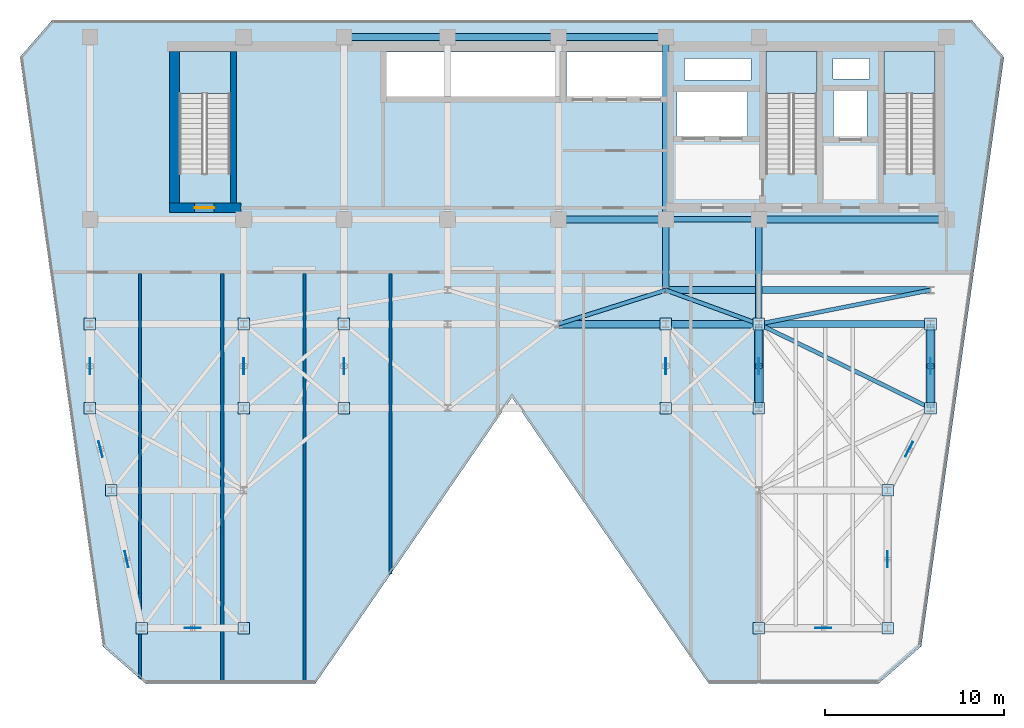
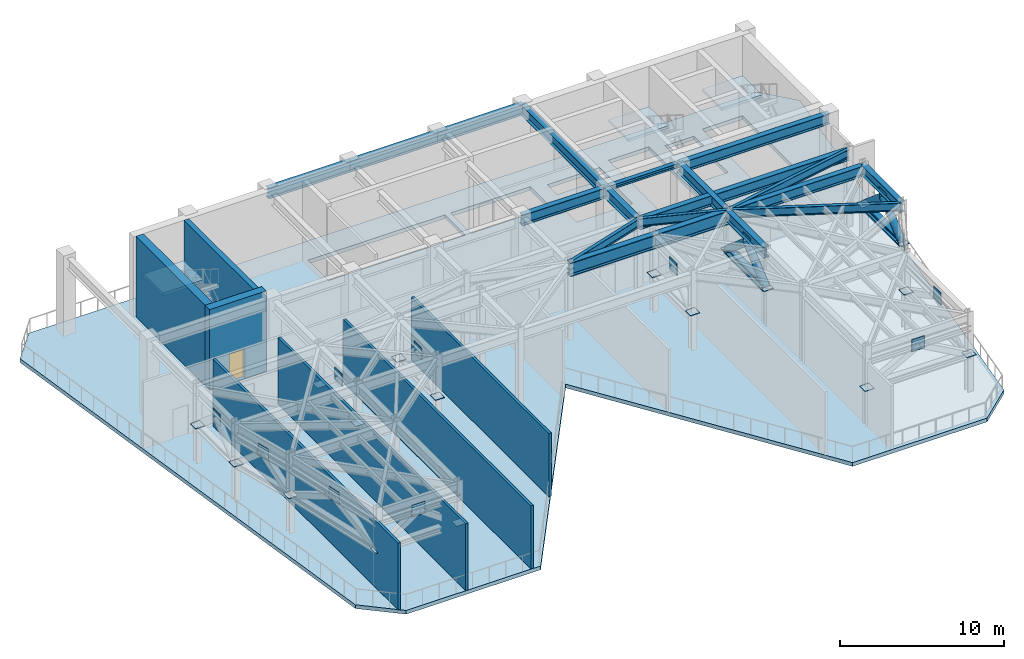
# One storey, part 3 of 12: 30 plates, 18 beams, 7 walls, 6 members, 4 slabs, 1 door, 1 opening, 3 elements without a shape of their own.
"""IFC4 building model written with IfcOpenShell, lengths in metres."""

from ifc_helpers import new_model, si_unit, direction, frame, frame_2d, origin, origin_2d, place, context, subcontext, project, spatial, polyline, rectangle, hollow_circle, i_section, outline, extrude, material, layer, layer_set, material_profile, profile_set, type_object, element, fill, aggregate, save


model = new_model("IFC4")

# Units and contexts
model_context = context("Model", 3, precision=1e-05, world=origin(), true_north=direction((0.0, 1.0)))
body_context = subcontext(model_context, "Body", "Model", "MODEL_VIEW")
ifc_project = project(units=[si_unit("LENGTHUNIT", "METRE"), si_unit("AREAUNIT", "SQUARE_METRE"), si_unit("VOLUMEUNIT", "CUBIC_METRE"), si_unit("PLANEANGLEUNIT", "RADIAN"), si_unit("MASSUNIT", "GRAM", prefix="KILO")], contexts=[model_context])

# Site, building, storey
site_placement = place(None, origin())
site = spatial("IfcSite", under=ifc_project, at=site_placement, CompositionType="ELEMENT")
building_placement = place(site_placement, origin())
building = spatial("IfcBuilding", under=site, at=building_placement, Name="Kravanh Interchange Tower", CompositionType="ELEMENT")
storey_placement = place(building_placement, frame((0.0, 0.0, 225.0)))
storey = spatial("IfcBuildingStorey", under=building, at=storey_placement, Name="L54", CompositionType="ELEMENT", Elevation=225.0)

# Beams
ifc_material_1 = material(Name="Structural Steel S355", Category="steel")
ifc_material_profile_1 = material_profile(ifc_material_1, i_section(OverallWidth=0.381103515625, OverallDepth=0.77294921875, WebThickness=0.0166015625, FlangeThickness=0.027099609375, FilletRadius=0.02490234375, at=origin_2d()), Name="W30X173")
ifc_profile_set_1 = profile_set([ifc_material_profile_1], Name="Structural Steel S355")
beam_type_1 = type_object("IfcBeamType", Name="Floor Beam W30X173 Structural Steel S355", PredefinedType="BEAM", material=ifc_profile_set_1)
beam_1_placement = place(storey_placement, frame((66.5, 37.35009765625, 5.363525390625), z_axis=(-1.0, 0.0, 0.0), x_axis=(0.0, -1.0, 0.0)))
element("IfcBeam", 1, at=beam_1_placement, inside=storey, type_object=beam_type_1, Name="L54 Primary Floor Girder 5", PredefinedType="BEAM", context=body_context, shape_type="SweptSolid", body=[
    extrude(i_section(OverallWidth=0.381103515625, OverallDepth=0.77294921875, WebThickness=0.0166015625, FlangeThickness=0.027099609375, FilletRadius=0.02490234375, at=origin_2d()), origin(), (0.0, 0.0, 1.0), 10.5),
])
beam_2_placement = place(storey_placement, frame((56.0, 37.35009765625, 5.363525390625), z_axis=(0.0, -1.0, 0.0), x_axis=(1.0, 0.0, 0.0)))
element("IfcBeam", 2, at=beam_2_placement, inside=storey, type_object=beam_type_1, Name="L54 Primary Floor Girder 7", PredefinedType="BEAM", context=body_context, shape_type="SweptSolid", body=[
    extrude(i_section(OverallWidth=0.381103515625, OverallDepth=0.77294921875, WebThickness=0.0166015625, FlangeThickness=0.027099609375, FilletRadius=0.02490234375, at=origin_2d()), origin(), (0.0, 0.0, 1.0), 5.85009765625),
])
beam_3_placement = place(storey_placement, frame((50.800048828125, 47.550048828125, 5.363525390625), z_axis=(-1.0, 0.0, 0.0), x_axis=(0.0, -1.0, 0.0)))
element("IfcBeam", 3, at=beam_3_placement, inside=storey, type_object=beam_type_1, Name="L54 Primary Floor Girder 8", PredefinedType="BEAM", context=body_context, shape_type="SweptSolid", body=[
    extrude(i_section(OverallWidth=0.381103515625, OverallDepth=0.77294921875, WebThickness=0.0166015625, FlangeThickness=0.027099609375, FilletRadius=0.02490234375, at=origin_2d()), origin(), (0.0, 0.0, 1.0), 6.0),
])
beam_4_placement = place(storey_placement, frame((50.800048828125, 47.550048828125, 5.363525390625), z_axis=(0.0, -1.0, 0.0), x_axis=(1.0, 0.0, 0.0)))
element("IfcBeam", 4, at=beam_4_placement, inside=storey, type_object=beam_type_1, Name="L54 Primary Floor Girder 9", PredefinedType="BEAM", context=body_context, shape_type="SweptSolid", body=[
    extrude(i_section(OverallWidth=0.381103515625, OverallDepth=0.77294921875, WebThickness=0.0166015625, FlangeThickness=0.027099609375, FilletRadius=0.02490234375, at=origin_2d()), origin(), (0.0, 0.0, 1.0), 10.199951171875),
])
beam_5_placement = place(storey_placement, frame((50.800048828125, 37.35009765625, 5.363525390625), z_axis=(0.0, -1.0, 0.0), x_axis=(1.0, 0.0, 0.0)))
element("IfcBeam", 5, at=beam_5_placement, inside=storey, type_object=beam_type_1, Name="L54 Primary Floor Girder 10", PredefinedType="BEAM", context=body_context, shape_type="SweptSolid", body=[
    extrude(i_section(OverallWidth=0.381103515625, OverallDepth=0.77294921875, WebThickness=0.0166015625, FlangeThickness=0.027099609375, FilletRadius=0.02490234375, at=origin_2d()), origin(), (0.0, 0.0, 1.0), 3.9501953125),
])
beam_6_placement = place(storey_placement, frame((50.800048828125, 37.35009765625, 5.363525390625), z_axis=(-1.0, 0.0, 0.0), x_axis=(0.0, -1.0, 0.0)))
element("IfcBeam", 6, at=beam_6_placement, inside=storey, type_object=beam_type_1, Name="L54 Primary Floor Girder 11", PredefinedType="BEAM", context=body_context, shape_type="SweptSolid", body=[
    extrude(i_section(OverallWidth=0.381103515625, OverallDepth=0.77294921875, WebThickness=0.0166015625, FlangeThickness=0.027099609375, FilletRadius=0.02490234375, at=origin_2d()), origin(), (0.0, 0.0, 1.0), 6.0),
])
beam_7_placement = place(storey_placement, frame((44.800048828125, 47.550048828125, 5.363525390625), z_axis=(-1.0, 0.0, 0.0), x_axis=(0.0, -1.0, 0.0)))
element("IfcBeam", 7, at=beam_7_placement, inside=storey, type_object=beam_type_1, Name="L54 Primary Floor Girder 15", PredefinedType="BEAM", context=body_context, shape_type="SweptSolid", body=[
    extrude(i_section(OverallWidth=0.381103515625, OverallDepth=0.77294921875, WebThickness=0.0166015625, FlangeThickness=0.027099609375, FilletRadius=0.02490234375, at=origin_2d()), origin(), (0.0, 0.0, 1.0), 6.199951171875),
])
beam_8_placement = place(storey_placement, frame((38.60009765625, 47.550048828125, 5.363525390625), z_axis=(-1.0, 0.0, 0.0), x_axis=(0.0, -1.0, 0.0)))
element("IfcBeam", 8, at=beam_8_placement, inside=storey, type_object=beam_type_1, Name="L54 Primary Floor Girder 19", PredefinedType="BEAM", context=body_context, shape_type="SweptSolid", body=[
    extrude(i_section(OverallWidth=0.381103515625, OverallDepth=0.77294921875, WebThickness=0.0166015625, FlangeThickness=0.027099609375, FilletRadius=0.02490234375, at=origin_2d()), origin(), (0.0, 0.0, 1.0), 5.800048828125),
])
for number, where, z_axis, x_axis, name in (
    (9, (56.0, 26.800048828125, 5.363525390625), (0.0, 1.0, 0.0), (-1.0, 0.0, 0.0), "L54 Primary Floor Girder 54"),
    (10, (65.60009765625, 26.800048828125, 5.363525390625), (0.0, 1.0, 0.0), (-1.0, 0.0, 0.0), "L54 Primary Floor Girder 57"),
):
    element("IfcBeam", number, at=place(storey_placement, frame(where, z_axis=z_axis, x_axis=x_axis)), inside=storey, type_object=beam_type_1, Name=name, PredefinedType="BEAM", context=body_context, shape_type="SweptSolid", body=[
        extrude(i_section(OverallWidth=0.381103515625, OverallDepth=0.77294921875, WebThickness=0.0166015625, FlangeThickness=0.027099609375, FilletRadius=0.02490234375, at=origin_2d()), origin(), (0.0, 0.0, 1.0), 4.699951171875),
    ])
beam_9_placement = place(storey_placement, frame((56.0, 31.5, 5.363525390625), z_axis=(1.0, 0.0, 0.0), x_axis=(0.0, 1.0, 0.0)))
element("IfcBeam", 11, at=beam_9_placement, inside=storey, type_object=beam_type_1, Name="L54 Primary Floor Girder 81", PredefinedType="BEAM", context=body_context, shape_type="SweptSolid", body=[
    extrude(i_section(OverallWidth=0.381103515625, OverallDepth=0.77294921875, WebThickness=0.0166015625, FlangeThickness=0.027099609375, FilletRadius=0.02490234375, at=origin_2d()), origin(), (0.0, 0.0, 1.0), 9.60009765625),
])
beam_10_placement = place(storey_placement, frame((50.800048828125, 33.39990234375, 5.363525390625), z_axis=(1.0, 0.0, 0.0), x_axis=(0.0, 1.0, 0.0)))
element("IfcBeam", 12, at=beam_10_placement, inside=storey, type_object=beam_type_1, Name="L54 Primary Floor Girder 95", PredefinedType="BEAM", context=body_context, shape_type="SweptSolid", body=[
    extrude(i_section(OverallWidth=0.381103515625, OverallDepth=0.77294921875, WebThickness=0.0166015625, FlangeThickness=0.027099609375, FilletRadius=0.02490234375, at=origin_2d()), origin(), (0.0, 0.0, 1.0), 14.800048828125),
])
ifc_material_2 = material(Name="Structural Steel S355", Category="steel")
ifc_material_profile_2 = material_profile(ifc_material_2, i_section(OverallWidth=0.304931640625, OverallDepth=0.306884765625, WebThickness=0.010009765625, FlangeThickness=0.015380859375, FilletRadius=0.014892578125, at=origin_2d()), Name="W12X65")
ifc_profile_set_2 = profile_set([ifc_material_profile_2], Name="Structural Steel S355")
beam_type_2 = type_object("IfcBeamType", Name="Floor Lintel W12X65 Structural Steel S355", PredefinedType="LINTEL", material=ifc_profile_set_2)
beam_11_placement = place(storey_placement, frame((50.800048828125, 37.35009765625, 5.596435546875), z_axis=(1.0, 0.0, 0.0), x_axis=(0.0, 1.0, 0.0)))
element("IfcBeam", 13, at=beam_11_placement, inside=storey, type_object=beam_type_2, Name="L54 Core Coupling Lintel 1", PredefinedType="LINTEL", context=body_context, shape_type="SweptSolid", body=[
    extrude(i_section(OverallWidth=0.304931640625, OverallDepth=0.306884765625, WebThickness=0.010009765625, FlangeThickness=0.015380859375, FilletRadius=0.014892578125, at=origin_2d()), origin(), (0.0, 0.0, 1.0), 5.199951171875),
])
ifc_material_3 = material(Name="Structural Steel S355", Category="steel")
ifc_material_profile_3 = material_profile(ifc_material_3, i_section(OverallWidth=0.22802734375, OverallDepth=0.60791015625, WebThickness=0.01123046875, FlangeThickness=0.017333984375, FilletRadius=0.02197265625, at=origin_2d()), Name="W24X76")
ifc_profile_set_3 = profile_set([ifc_material_profile_3], Name="Structural Steel S355")
beam_type_3 = type_object("IfcBeamType", Name="Floor Spandrel W24X76 Structural Steel S355", PredefinedType="SPANDREL", material=ifc_profile_set_3)
beam_12_placement = place(storey_placement, frame((65.60009765625, 26.800048828125, 5.446044921875), z_axis=(-0.898141688387, 0.439706160499, 0.0), x_axis=(-0.439706160499, -0.898141688387, 0.0)))
element("IfcBeam", 14, at=beam_12_placement, inside=storey, type_object=beam_type_3, Name="L54 Perimeter Spandrel 60", PredefinedType="SPANDREL", context=body_context, shape_type="SweptSolid", body=[
    extrude(i_section(OverallWidth=0.22802734375, OverallDepth=0.60791015625, WebThickness=0.01123046875, FlangeThickness=0.017333984375, FilletRadius=0.02197265625, at=origin_2d()), origin(), (0.0, 0.0, 1.0), 10.68896484375),
])
beam_13_placement = place(storey_placement, frame((44.800048828125, 31.5, 5.446044921875), z_axis=(0.953346691051, 0.301877602122, 0.0), x_axis=(-0.301877602122, 0.953346691051, 0.0)))
element("IfcBeam", 15, at=beam_13_placement, inside=storey, type_object=beam_type_3, Name="L54 Perimeter Spandrel 75", PredefinedType="SPANDREL", context=body_context, shape_type="SweptSolid", body=[
    extrude(i_section(OverallWidth=0.22802734375, OverallDepth=0.60791015625, WebThickness=0.01123046875, FlangeThickness=0.017333984375, FilletRadius=0.02197265625, at=origin_2d()), origin(), (0.0, 0.0, 1.0), 6.293701171875),
])
beam_14_placement = place(storey_placement, frame((56.0, 31.5, 5.446044921875), z_axis=(-0.93926957103, 0.343180233896, 0.0), x_axis=(-0.343180233896, -0.93926957103, 0.0)))
element("IfcBeam", 16, at=beam_14_placement, inside=storey, type_object=beam_type_3, Name="L54 Perimeter Spandrel 80", PredefinedType="SPANDREL", context=body_context, shape_type="SweptSolid", body=[
    extrude(i_section(OverallWidth=0.22802734375, OverallDepth=0.60791015625, WebThickness=0.01123046875, FlangeThickness=0.017333984375, FilletRadius=0.02197265625, at=origin_2d()), origin(), (0.0, 0.0, 1.0), 5.5361328125),
])
beam_15_placement = place(storey_placement, frame((56.0, 31.5, 5.446044921875), z_axis=(0.980974000807, 0.194139150457, 0.0), x_axis=(-0.194139150457, 0.980974000807, 0.0)))
element("IfcBeam", 17, at=beam_15_placement, inside=storey, type_object=beam_type_3, Name="L54 Perimeter Spandrel 82", PredefinedType="SPANDREL", context=body_context, shape_type="SweptSolid", body=[
    extrude(i_section(OverallWidth=0.22802734375, OverallDepth=0.60791015625, WebThickness=0.01123046875, FlangeThickness=0.017333984375, FilletRadius=0.02197265625, at=origin_2d()), origin(), (0.0, 0.0, 1.0), 9.786376953125),
])

# Members
ifc_material_4 = material(Name="Structural Steel S450", Category="steel")
ifc_material_profile_4 = material_profile(ifc_material_4, i_section(OverallWidth=0.431884765625, OverallDepth=0.498046875, WebThickness=0.0556640625, FlangeThickness=0.0888671875, FilletRadius=0.030029296875, at=origin_2d()), Name="W14X500")
ifc_profile_set_4 = profile_set([ifc_material_profile_4], Name="Structural Steel S450")
member_type_1 = type_object("IfcMemberType", Name="Outrigger Truss Chord W14X500 Structural Steel S450", PredefinedType="CHORD", material=ifc_profile_set_4)
for number, where, z_axis, x_axis, name in (
    (18, (56.0, 31.5, 2.75), (0.0, -1.0, 0.0), (1.0, 0.0, 0.0), "L54 OUTRIGGER TRUSS BOTTOM CHORD 5"),
    (19, (65.60009765625, 31.5, 2.75), (0.0, -1.0, 0.0), (1.0, 0.0, 0.0), "L54 OUTRIGGER TRUSS BOTTOM CHORD 6"),
):
    element("IfcMember", number, at=place(storey_placement, frame(where, z_axis=z_axis, x_axis=x_axis)), inside=storey, type_object=member_type_1, Name=name, PredefinedType="CHORD", context=body_context, shape_type="SweptSolid", body=[
        extrude(i_section(OverallWidth=0.431884765625, OverallDepth=0.498046875, WebThickness=0.0556640625, FlangeThickness=0.0888671875, FilletRadius=0.030029296875, at=origin_2d()), origin(), (0.0, 0.0, 1.0), 4.699951171875),
    ])
ifc_material_5 = material(Name="Structural Steel S450", Category="steel")
ifc_material_profile_5 = material_profile(ifc_material_5, hollow_circle(Radius=0.25390625, WallThickness=0.02001953125, at=origin_2d()), Name="CHS508X20")
ifc_profile_set_5 = profile_set([ifc_material_profile_5], Name="Structural Steel S450")
member_type_2 = type_object("IfcMemberType", Name="Outrigger Truss Diagonal CHS508X20 Structural Steel S450", PredefinedType="USERDEFINED", material=ifc_profile_set_5)
member_1_placement = place(storey_placement, frame((56.0, 31.5, 2.75), z_axis=(0.0, -0.760420816417, 0.649430659855), x_axis=(1.0, 0.0, 0.0)))
element("IfcMember", 20, at=member_1_placement, inside=storey, type_object=member_type_2, Name="L54 OUTRIGGER TRUSS DIAGONAL 5A", ObjectType="OUTRIGGER", PredefinedType="USERDEFINED", context=body_context, shape_type="SweptSolid", body=[
    extrude(hollow_circle(Radius=0.25390625, WallThickness=0.02001953125, at=origin_2d()), origin(), (0.0, 0.0, 1.0), 3.090576171875),
])
member_2_placement = place(storey_placement, frame((56.0, 26.800048828125, 2.75), z_axis=(0.0, 0.760387495814, 0.649469673048), x_axis=(-1.0, 0.0, 0.0)))
element("IfcMember", 21, at=member_2_placement, inside=storey, type_object=member_type_2, Name="L54 OUTRIGGER TRUSS DIAGONAL 5B", ObjectType="OUTRIGGER", PredefinedType="USERDEFINED", context=body_context, shape_type="SweptSolid", body=[
    extrude(hollow_circle(Radius=0.25390625, WallThickness=0.02001953125, at=origin_2d()), origin(), (0.0, 0.0, 1.0), 3.09033203125),
])
member_3_placement = place(storey_placement, frame((65.60009765625, 31.5, 2.75), z_axis=(0.0, -0.760420816417, 0.649430659855), x_axis=(1.0, 0.0, 0.0)))
element("IfcMember", 22, at=member_3_placement, inside=storey, type_object=member_type_2, Name="L54 OUTRIGGER TRUSS DIAGONAL 6A", ObjectType="OUTRIGGER", PredefinedType="USERDEFINED", context=body_context, shape_type="SweptSolid", body=[
    extrude(hollow_circle(Radius=0.25390625, WallThickness=0.02001953125, at=origin_2d()), origin(), (0.0, 0.0, 1.0), 3.090576171875),
])
member_4_placement = place(storey_placement, frame((65.60009765625, 26.800048828125, 2.75), z_axis=(0.0, 0.760387495814, 0.649469673048), x_axis=(-1.0, 0.0, 0.0)))
element("IfcMember", 23, at=member_4_placement, inside=storey, type_object=member_type_2, Name="L54 OUTRIGGER TRUSS DIAGONAL 6B", ObjectType="OUTRIGGER", PredefinedType="USERDEFINED", context=body_context, shape_type="SweptSolid", body=[
    extrude(hollow_circle(Radius=0.25390625, WallThickness=0.02001953125, at=origin_2d()), origin(), (0.0, 0.0, 1.0), 3.09033203125),
])

# Beam
ifc_material_6 = material(Name="Structural Steel S450", Category="steel")
ifc_material_profile_6 = material_profile(ifc_material_6, i_section(OverallWidth=0.4140625, OverallDepth=1.010986328125, WebThickness=0.023681640625, FlangeThickness=0.0419921875, FilletRadius=0.030029296875, at=origin_2d()), Name="W40X297")
ifc_profile_set_6 = profile_set([ifc_material_profile_6], Name="Structural Steel S450")
beam_type_4 = type_object("IfcBeamType", Name="Transfer Girder W40X297 Structural Steel S450", PredefinedType="BEAM", material=ifc_profile_set_6)
beam_16_placement = place(storey_placement, frame((44.800048828125, 31.5, 5.244384765625), z_axis=(1.0, 0.0, 0.0), x_axis=(0.0, 1.0, 0.0)))
element("IfcBeam", 24, at=beam_16_placement, inside=storey, type_object=beam_type_4, Name="L54 STEEL TRANSFER GIRDER 2", PredefinedType="BEAM", context=body_context, shape_type="SweptSolid", body=[
    extrude(i_section(OverallWidth=0.4140625, OverallDepth=1.010986328125, WebThickness=0.023681640625, FlangeThickness=0.0419921875, FilletRadius=0.030029296875, at=origin_2d()), origin(), (0.0, 0.0, 1.0), 11.199951171875),
])

# Slab
ifc_material_7 = material(Name="Concrete C60/75", Category="concrete")
ifc_layer_1 = layer(ifc_material_7, 0.280029296875)
ifc_layer_set_1 = layer_set([ifc_layer_1], Name="Composite Floor Slab Concrete C60/75 280mm")
slab_type_1 = type_object("IfcSlabType", Name="Composite Floor Slab Concrete C60/75 280mm", PredefinedType="FLOOR", material=ifc_layer_set_1)
slab_1_placement = place(storey_placement, frame((0.0, 0.0, -0.280029296875)))
element("IfcSlab", 25, at=slab_1_placement, inside=storey, type_object=slab_type_1, Name="L54 Structural Floor Slab", PredefinedType="FLOOR", context=body_context, shape_type="SweptSolid", body=[
    extrude(outline(polyline([(19.32177734375, 13.4794921875), (21.714111328125, 11.39990234375), (31.199951171875, 11.39990234375), (42.199951171875, 27.39990234375), (53.199951171875, 11.39990234375), (62.685791015625, 11.39990234375), (65.078125, 13.4794921875), (69.707763671875, 46.42041015625), (67.89990234375, 48.5), (16.5, 48.5), (14.6923828125, 46.42041015625), (19.32177734375, 13.4794921875)]), holes=[polyline([(65.85009765625, 39.925048828125), (65.85009765625, 46.75), (63.0, 46.75), (63.0, 39.925048828125), (65.85009765625, 39.925048828125)]), polyline([(59.25, 39.925048828125), (59.25, 46.75), (56.39990234375, 46.75), (56.39990234375, 39.925048828125), (59.25, 39.925048828125)]), polyline([(26.449951171875, 39.925048828125), (26.449951171875, 46.75), (23.60009765625, 46.75), (23.60009765625, 39.925048828125), (26.449951171875, 39.925048828125)]), polyline([(35.179931640625, 44.219970703125), (44.840087890625, 44.219970703125), (44.840087890625, 46.699951171875), (35.179931640625, 46.699951171875), (35.179931640625, 44.219970703125)]), polyline([(45.239990234375, 44.219970703125), (50.840087890625, 44.219970703125), (50.840087890625, 46.699951171875), (45.239990234375, 46.699951171875), (45.239990234375, 44.219970703125)]), polyline([(51.419921875, 42.02001953125), (55.3798828125, 42.02001953125), (55.3798828125, 44.47998046875), (51.419921875, 44.47998046875), (51.419921875, 42.02001953125)]), polyline([(60.179931640625, 41.97998046875), (62.06005859375, 41.97998046875), (62.06005859375, 44.52001953125), (60.179931640625, 44.52001953125), (60.179931640625, 41.97998046875)]), polyline([(60.14990234375, 45.199951171875), (62.199951171875, 45.199951171875), (62.199951171875, 46.35009765625), (60.14990234375, 46.35009765625), (60.14990234375, 45.199951171875)]), polyline([(51.85009765625, 45.14990234375), (55.550048828125, 45.14990234375), (55.550048828125, 46.35009765625), (51.85009765625, 46.35009765625), (51.85009765625, 45.14990234375)])]), origin(), (0.0, 0.0, 1.0), 0.280029296875),
])

# Stair, slab
ifc_material_8 = material(Name="Concrete C50/60", Category="concrete")
stair_type = type_object("IfcStairType", Name="Core Fire Exit Dogleg Stair Concrete C50/60", PredefinedType="HALF_TURN_STAIR", material=ifc_material_8)
stair_1_placement = place(storey_placement, origin())
stair_1 = element("IfcStair", 26, at=stair_1_placement, inside=storey, type_object=stair_type, Name="L54 Exit Stair ST1", PredefinedType="HALF_TURN_STAIR")
ifc_material_9 = material(Name="Concrete C50/60", Category="concrete")
ifc_layer_2 = layer(ifc_material_9, 0.199951171875)
ifc_layer_set_2 = layer_set([ifc_layer_2], Name="Concrete C50/60 Stair Half-Landing Slab 200mm")
slab_type_2 = type_object("IfcSlabType", Name="Concrete C50/60 Stair Half-Landing Slab 200mm", PredefinedType="LANDING", material=ifc_layer_set_2)
slab_2_placement = place(storey_placement, frame((0.0, 0.0, 2.800048828125)))
slab_2 = element("IfcSlab", 27, at=slab_2_placement, type_object=slab_type_2, Name="ST1 landing 1", PredefinedType="LANDING", context=body_context, shape_type="SweptSolid", body=[
    extrude(outline(polyline([(65.85009765625, 44.3798828125), (65.85009765625, 46.75), (63.0, 46.75), (63.0, 44.3798828125), (65.85009765625, 44.3798828125)])), origin(), (0.0, 0.0, 1.0), 0.199951171875),
])
aggregate(stair_1, [slab_2])

stair_2_placement = place(storey_placement, origin())
stair_2 = element("IfcStair", 28, at=stair_2_placement, inside=storey, type_object=stair_type, Name="L54 Exit Stair ST2", PredefinedType="HALF_TURN_STAIR")
slab_3_placement = place(storey_placement, frame((0.0, 0.0, 2.800048828125)))
slab_3 = element("IfcSlab", 29, at=slab_3_placement, type_object=slab_type_2, Name="ST2 landing 1", PredefinedType="LANDING", context=body_context, shape_type="SweptSolid", body=[
    extrude(outline(polyline([(59.25, 44.3798828125), (59.25, 46.75), (56.39990234375, 46.75), (56.39990234375, 44.3798828125), (59.25, 44.3798828125)])), origin(), (0.0, 0.0, 1.0), 0.199951171875),
])
aggregate(stair_2, [slab_3])

stair_3_placement = place(storey_placement, origin())
stair_3 = element("IfcStair", 30, at=stair_3_placement, inside=storey, type_object=stair_type, Name="L54 Exit Stair ST3", PredefinedType="HALF_TURN_STAIR")
slab_4_placement = place(storey_placement, frame((0.0, 0.0, 2.800048828125)))
slab_4 = element("IfcSlab", 31, at=slab_4_placement, type_object=slab_type_2, Name="ST3 landing 1", PredefinedType="LANDING", context=body_context, shape_type="SweptSolid", body=[
    extrude(outline(polyline([(26.449951171875, 44.3798828125), (26.449951171875, 46.75), (23.60009765625, 46.75), (23.60009765625, 44.3798828125), (26.449951171875, 44.3798828125)])), origin(), (0.0, 0.0, 1.0), 0.199951171875),
])
aggregate(stair_3, [slab_4])

# Plates
ifc_material_10 = material(Name="Structural Steel S450", Category="steel")
ifc_layer_3 = layer(ifc_material_10, 0.031982421875)
ifc_layer_set_3 = layer_set([ifc_layer_3], Name="Flange Continuity Node Plate 650x650x32 S450")
plate_type_1 = type_object("IfcPlateType", Name="Flange Continuity Node Plate 650x650x32 S450", PredefinedType="SHEET", material=ifc_layer_set_3)
for number, where, z_axis, x_axis, name in (
    (32, (18.60009765625, 31.5, 2.73388671875), (0.0, 0.0, 1.0), (1.0, 0.0, 0.0), "L54 Outrigger Node Flange Plate 1A"),
    (33, (18.60009765625, 26.800048828125, 2.73388671875), (0.0, 0.0, 1.0), (1.0, 0.0, 0.0), "L54 Outrigger Node Flange Plate 1B"),
    (34, (27.199951171875, 31.5, 2.73388671875), (0.0, 0.0, 1.0), (1.0, 0.0, 0.0), "L54 Outrigger Node Flange Plate 2A"),
    (35, (27.199951171875, 26.800048828125, 2.73388671875), (0.0, 0.0, 1.0), (1.0, 0.0, 0.0), "L54 Outrigger Node Flange Plate 2B"),
    (36, (32.800048828125, 31.5, 2.73388671875), (0.0, 0.0, 1.0), (1.0, 0.0, 0.0), "L54 Outrigger Node Flange Plate 3A"),
    (37, (32.800048828125, 26.800048828125, 2.73388671875), (0.0, 0.0, 1.0), (1.0, 0.0, 0.0), "L54 Outrigger Node Flange Plate 3B"),
    (38, (50.800048828125, 31.5, 2.73388671875), (0.0, 0.0, 1.0), (1.0, 0.0, 0.0), "L54 Outrigger Node Flange Plate 4A"),
    (39, (50.800048828125, 26.800048828125, 2.73388671875), (0.0, 0.0, 1.0), (1.0, 0.0, 0.0), "L54 Outrigger Node Flange Plate 4B"),
    (40, (56.0, 31.5, 2.73388671875), (0.0, 0.0, 1.0), (1.0, 0.0, 0.0), "L54 Outrigger Node Flange Plate 5A"),
    (41, (56.0, 26.800048828125, 2.73388671875), (0.0, 0.0, 1.0), (1.0, 0.0, 0.0), "L54 Outrigger Node Flange Plate 5B"),
    (42, (65.60009765625, 31.5, 2.73388671875), (0.0, 0.0, 1.0), (1.0, 0.0, 0.0), "L54 Outrigger Node Flange Plate 6A"),
    (43, (65.60009765625, 26.800048828125, 2.73388671875), (0.0, 0.0, 1.0), (1.0, 0.0, 0.0), "L54 Outrigger Node Flange Plate 6B"),
    (44, (21.5, 14.5, 2.73388671875), (0.0, 0.0, 1.0), (1.0, 0.0, 0.0), "L54 Belt Truss Node Flange Plate 1A"),
    (45, (27.199951171875, 14.5, 2.73388671875), (0.0, 0.0, 1.0), (1.0, 0.0, 0.0), "L54 Belt Truss Node Flange Plate 1B"),
    (46, (56.0, 14.5, 2.73388671875), (0.0, 0.0, 1.0), (1.0, 0.0, 0.0), "L54 Belt Truss Node Flange Plate 2A"),
    (47, (63.199951171875, 14.5, 2.73388671875), (0.0, 0.0, 1.0), (1.0, 0.0, 0.0), "L54 Belt Truss Node Flange Plate 2B"),
    (48, (19.800048828125, 22.199951171875, 2.73388671875), (0.0, 0.0, 1.0), (1.0, 0.0, 0.0), "L54 Belt Truss Node Flange Plate 3B"),
    (49, (63.199951171875, 22.199951171875, 2.73388671875), (0.0, 0.0, 1.0), (1.0, 0.0, 0.0), "L54 Belt Truss Node Flange Plate 5B"),
):
    element("IfcPlate", number, at=place(storey_placement, frame(where, z_axis=z_axis, x_axis=x_axis)), inside=storey, type_object=plate_type_1, Name=name, PredefinedType="SHEET", context=body_context, shape_type="SweptSolid", body=[
        extrude(rectangle(XDim=0.64990234375, YDim=0.64990234375, at=origin_2d()), origin(), (0.0, 0.0, 1.0), 0.031982421875),
    ])
ifc_material_11 = material(Name="Structural Steel S450", Category="steel")
ifc_layer_4 = layer(ifc_material_11, 0.0400390625)
ifc_layer_set_4 = layer_set([ifc_layer_4], Name="Outrigger Gusset Plate Structural Steel S450 40mm")
plate_type_2 = type_object("IfcPlateType", Name="Outrigger Gusset Plate Structural Steel S450 40mm", PredefinedType="USERDEFINED", material=ifc_layer_set_4)
for number, where, z_axis, x_axis, name in (
    (50, (18.60009765625, 29.14990234375, 4.30712890625), (0.0, 0.0, 1.0), (0.0, -1.0, 0.0), "L54 Outrigger Node Gusset Plate 1"),
    (51, (27.199951171875, 29.14990234375, 4.30712890625), (0.0, 0.0, 1.0), (0.0, -1.0, 0.0), "L54 Outrigger Node Gusset Plate 2"),
    (52, (32.800048828125, 29.14990234375, 4.30712890625), (0.0, 0.0, 1.0), (0.0, -1.0, 0.0), "L54 Outrigger Node Gusset Plate 3"),
    (53, (50.800048828125, 29.14990234375, 4.30712890625), (0.0, 0.0, 1.0), (0.0, -1.0, 0.0), "L54 Outrigger Node Gusset Plate 4"),
    (54, (56.0, 29.14990234375, 4.30712890625), (0.0, 0.0, 1.0), (0.0, -1.0, 0.0), "L54 Outrigger Node Gusset Plate 5"),
    (55, (65.60009765625, 29.14990234375, 4.30712890625), (0.0, 0.0, 1.0), (0.0, -1.0, 0.0), "L54 Outrigger Node Gusset Plate 6"),
    (56, (24.35009765625, 14.5, 4.30712890625), (0.0, 0.0, 1.0), (1.0, 0.0, 0.0), "L54 Belt Truss Node Gusset Plate 1"),
    (57, (59.60009765625, 14.5, 4.30712890625), (0.0, 0.0, 1.0), (1.0, 0.0, 0.0), "L54 Belt Truss Node Gusset Plate 2"),
    (58, (20.64990234375, 18.35009765625, 4.30712890625), (0.0, 0.0, 1.0), (-0.215587552642, 0.976484514545, 0.0), "L54 Belt Truss Node Gusset Plate 3"),
    (59, (19.199951171875, 24.5, 4.30712890625), (0.0, 0.0, 1.0), (-0.252407137104, 0.967621122723, 0.0), "L54 Belt Truss Node Gusset Plate 4"),
    (60, (63.199951171875, 18.35009765625, 4.30712890625), (0.0, 0.0, 1.0), (0.0, 1.0, 0.0), "L54 Belt Truss Node Gusset Plate 5"),
    (61, (64.39990234375, 24.5, 4.30712890625), (0.0, 0.0, 1.0), (0.462522500293, 0.8866075438, 0.0), "L54 Belt Truss Node Gusset Plate 6"),
):
    element("IfcPlate", number, at=place(storey_placement, frame(where, z_axis=z_axis, x_axis=x_axis)), inside=storey, type_object=plate_type_2, Name=name, ObjectType="GUSSET PLATE", PredefinedType="USERDEFINED", context=body_context, shape_type="SweptSolid", body=[
        extrude(rectangle(XDim=0.89990234375, YDim=0.0400390625, at=origin_2d()), origin(), (0.0, 0.0, 1.0), 0.89990234375),
    ])

# Wall
ifc_material_12 = material(Name="Concrete C60/75", Category="concrete")
ifc_layer_5 = layer(ifc_material_12, 0.35009765625)
ifc_layer_set_5 = layer_set([ifc_layer_5], Name="Core Shear Wall Concrete C60/75 350mm")
wall_type_1 = type_object("IfcWallType", Name="Core Shear Wall Concrete C60/75 350mm", PredefinedType="SHEAR", material=ifc_layer_set_5)
wall_1_placement = place(storey_placement, frame((26.625, 38.27490234375, 0.0), z_axis=(0.0, 0.0, 1.0), x_axis=(0.0, 1.0, 0.0)))
element("IfcWall", 62, at=wall_1_placement, inside=storey, type_object=wall_type_1, Name="L54 Stair ST3 East Shear Wall", PredefinedType="SHEAR", context=body_context, shape_type="SweptSolid", body=[
    extrude(rectangle(XDim=8.47509765625, YDim=0.35009765625, at=frame_2d((4.237548828125, 0.0))), origin(), (0.0, 0.0, 1.0), 6.0),
])

# Wall, opening, door
ifc_material_13 = material(Name="Concrete C70/85", Category="concrete")
ifc_layer_6 = layer(ifc_material_13, 0.550048828125)
ifc_layer_set_6 = layer_set([ifc_layer_6], Name="Core Shear Wall Concrete C70/85 550mm")
wall_type_2 = type_object("IfcWallType", Name="Core Shear Wall Concrete C70/85 550mm", PredefinedType="SHEAR", material=ifc_layer_set_6)
wall_2_placement = place(storey_placement, frame((23.050048828125, 38.0, 0.0), z_axis=(0.0, 0.0, 1.0), x_axis=(1.0, 0.0, 0.0)))
wall_2 = element("IfcWall", 63, at=wall_2_placement, inside=storey, type_object=wall_type_2, Name="L54 Stair ST3 South Shear Wall", PredefinedType="SHEAR", context=body_context, shape_type="SweptSolid", body=[
    extrude(rectangle(XDim=4.0, YDim=0.550048828125, at=frame_2d((2.0, 0.0))), origin(), (0.0, 0.0, 1.0), 6.0),
])
opening_placement = place(wall_2_placement, frame((1.39990234375, 0.0, 0.0)))
opening = element("IfcOpeningElement", 64, at=opening_placement, cuts=wall_2, Name="Opening D-STAIR-110", PredefinedType="OPENING", context=body_context, shape_type="SweptSolid", body=[
    extrude(rectangle(XDim=1.10009765625, YDim=2.199951171875, at=frame_2d((0.550048828125, 1.10009765625))), frame((0.0, 0.28515625, 0.0), z_axis=(0.0, -1.0, 0.0), x_axis=(1.0, 0.0, 0.0)), (0.0, 0.0, 1.0), 0.570068359375),
])
ifc_material_14 = material(Name="Structural Steel S355", Category="steel")
door_type = type_object("IfcDoorType", Name="Fire-Rated Exit Stair Door 1100x2200", OperationType="NOTDEFINED", PredefinedType="DOOR", material=ifc_material_14)
door_placement = place(opening_placement, origin())
door = element("IfcDoor", 65, at=door_placement, inside=storey, type_object=door_type, Name="L54 Exit Stair ST3 Door", OperationType="SINGLE_SWING_RIGHT", OverallHeight=2.199951171875, OverallWidth=1.10009765625, PredefinedType="DOOR", context=body_context, shape_type="SweptSolid", body=[
    extrude(rectangle(XDim=1.10009765625, YDim=2.199951171875, at=frame_2d((0.550048828125, 1.10009765625))), frame((0.0, 0.02490234375, 0.0), z_axis=(0.0, -1.0, 0.0), x_axis=(1.0, 0.0, 0.0)), (0.0, 0.0, 1.0), 0.050048828125),
])
fill(opening, door)

# Walls
wall_3_placement = place(storey_placement, frame((23.324951171875, 38.27490234375, 0.0), z_axis=(0.0, 0.0, 1.0), x_axis=(0.0, 1.0, 0.0)))
element("IfcWall", 66, at=wall_3_placement, inside=storey, type_object=wall_type_2, Name="L54 Stair ST3 West Shear Wall", PredefinedType="SHEAR", context=body_context, shape_type="SweptSolid", body=[
    extrude(rectangle(XDim=8.47509765625, YDim=0.550048828125, at=frame_2d((4.237548828125, 0.0))), origin(), (0.0, 0.0, 1.0), 6.0),
])
ifc_material_15 = material(Name="Autoclaved Aerated Concrete C30/37 Blockwork", Category="masonry")
ifc_layer_7 = layer(ifc_material_15, 0.179931640625)
ifc_layer_set_7 = layer_set([ifc_layer_7], Name="Fire-Rated Lobby and Corridor Wall Concrete C30/37 180mm")
wall_type_3 = type_object("IfcWallType", Name="Fire-Rated Lobby and Corridor Wall Concrete C30/37 180mm", PredefinedType="STANDARD", material=ifc_layer_set_7)
wall_4_placement = place(storey_placement, frame((21.39990234375, 11.69287109375, 0.0), z_axis=(0.0, 0.0, 1.0), x_axis=(0.0, 1.0, 0.0)))
element("IfcWall", 67, at=wall_4_placement, inside=storey, type_object=wall_type_3, Name="L54 Interior Partition 8", PredefinedType="STANDARD", context=body_context, shape_type="SweptSolid", body=[
    extrude(rectangle(XDim=22.63916015625, YDim=0.179931640625, at=frame_2d((11.319580078125, 0.0))), origin(), (0.0, 0.0, 1.0), 4.97705078125),
])
wall_5_placement = place(storey_placement, frame((26.0, 11.4150390625, 0.0), z_axis=(0.0, 0.0, 1.0), x_axis=(0.0, 1.0, 0.0)))
element("IfcWall", 68, at=wall_5_placement, inside=storey, type_object=wall_type_3, Name="L54 Interior Partition 9", PredefinedType="STANDARD", context=body_context, shape_type="SweptSolid", body=[
    extrude(rectangle(XDim=22.9169921875, YDim=0.179931640625, at=frame_2d((11.45849609375, 0.0))), origin(), (0.0, 0.0, 1.0), 4.97705078125),
])
wall_6_placement = place(storey_placement, frame((30.60009765625, 11.4150390625, 0.0), z_axis=(0.0, 0.0, 1.0), x_axis=(0.0, 1.0, 0.0)))
element("IfcWall", 69, at=wall_6_placement, inside=storey, type_object=wall_type_3, Name="L54 Interior Partition 10", PredefinedType="STANDARD", context=body_context, shape_type="SweptSolid", body=[
    extrude(rectangle(XDim=22.9169921875, YDim=0.179931640625, at=frame_2d((11.45849609375, 0.0))), origin(), (0.0, 0.0, 1.0), 4.708984375),
])
wall_7_placement = place(storey_placement, frame((35.39990234375, 17.53564453125, 0.0), z_axis=(0.0, 0.0, 1.0), x_axis=(0.0, 1.0, 0.0)))
element("IfcWall", 70, at=wall_7_placement, inside=storey, type_object=wall_type_3, Name="L54 Interior Partition 11", PredefinedType="STANDARD", context=body_context, shape_type="SweptSolid", body=[
    extrude(rectangle(XDim=16.79638671875, YDim=0.179931640625, at=frame_2d((8.398193359375, 0.0))), origin(), (0.0, 0.0, 1.0), 4.708984375),
])

save(model, "model.ifc")
